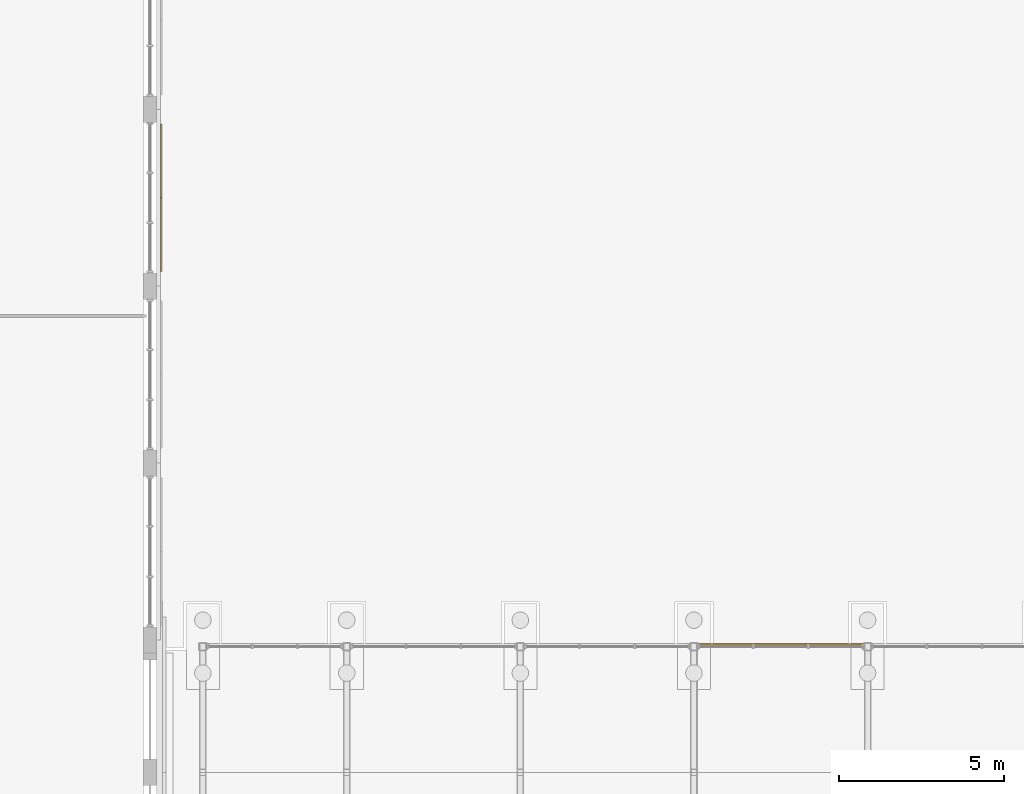
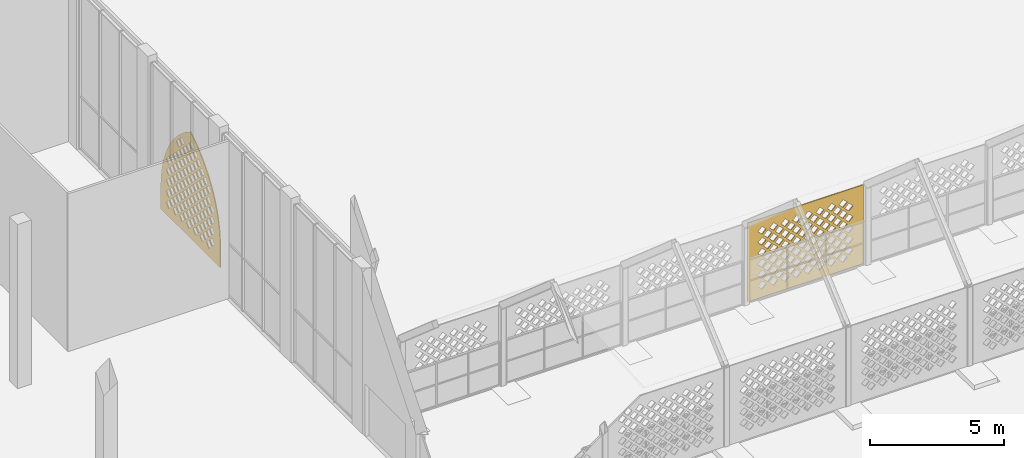
# One storey, part 69 of 79: 2 coverings.
"""IFC4 building model written with IfcOpenShell, lengths in metres."""

from ifc_helpers import new_model, si_unit, direction, frame, origin, place, context, subcontext, project, spatial, polyline, outline, extrude, material, layer, layer_set, type_object, element, save


model = new_model("IFC4")

# Units and contexts
model_context = context("Model", 3, precision=1e-05, world=origin(), true_north=direction((0.0, 1.0)))
body_context = subcontext(model_context, "Body", "Model", "MODEL_VIEW")
ifc_project = project(units=[si_unit("LENGTHUNIT", "METRE"), si_unit("AREAUNIT", "SQUARE_METRE"), si_unit("VOLUMEUNIT", "CUBIC_METRE"), si_unit("PLANEANGLEUNIT", "RADIAN"), si_unit("MASSUNIT", "GRAM", prefix="KILO")], contexts=[model_context])

# Site, building, storey
site_placement = place(None, origin())
site = spatial("IfcSite", under=ifc_project, at=site_placement, CompositionType="ELEMENT")
building_placement = place(site_placement, origin())
building = spatial("IfcBuilding", under=site, at=building_placement, Name="Noorbagh Ring Tower", CompositionType="ELEMENT")
storey_placement = place(building_placement, origin())
storey = spatial("IfcBuildingStorey", under=building, at=storey_placement, Name="L00", CompositionType="ELEMENT", Elevation=0.0)

# Coverings
ifc_material_1 = material(Name="Red sandstone jali", Category="masonry")
ifc_layer_1 = layer(ifc_material_1, 0.0400390625)
ifc_layer_set_1 = layer_set([ifc_layer_1], Name="Red sandstone jali")
covering_type_1 = type_object("IfcCoveringType", Name="AR-JALI", PredefinedType="USERDEFINED", material=ifc_layer_set_1)
covering_1_placement = place(storey_placement, frame((-73.625, 8.889892578125, 0.0), z_axis=(0.0, 1.0, 0.0), x_axis=(-1.0, 0.0, 0.0)))
element("IfcCovering", 1, at=covering_1_placement, inside=storey, type_object=covering_type_1, Name="Jali screen", ObjectType="SCREEN", PredefinedType="USERDEFINED", context=body_context, shape_type="SweptSolid", body=[
    extrude(outline(polyline([(0.0, 0.0), (5.0, 0.0), (5.0, 3.60009765625), (0.0, 3.60009765625), (0.0, 0.0)]), holes=[polyline([(0.695068359375, 0.550048828125), (0.875, 0.3701171875), (1.054931640625, 0.550048828125), (0.875, 0.72998046875), (0.695068359375, 0.550048828125)]), polyline([(1.195068359375, 0.550048828125), (1.375, 0.3701171875), (1.554931640625, 0.550048828125), (1.375, 0.72998046875), (1.195068359375, 0.550048828125)]), polyline([(1.695068359375, 0.550048828125), (1.875, 0.3701171875), (2.054931640625, 0.550048828125), (1.875, 0.72998046875), (1.695068359375, 0.550048828125)]), polyline([(2.195068359375, 0.550048828125), (2.375, 0.3701171875), (2.554931640625, 0.550048828125), (2.375, 0.72998046875), (2.195068359375, 0.550048828125)]), polyline([(2.695068359375, 0.550048828125), (2.875, 0.3701171875), (3.054931640625, 0.550048828125), (2.875, 0.72998046875), (2.695068359375, 0.550048828125)]), polyline([(3.195068359375, 0.550048828125), (3.375, 0.3701171875), (3.554931640625, 0.550048828125), (3.375, 0.72998046875), (3.195068359375, 0.550048828125)]), polyline([(3.695068359375, 0.550048828125), (3.875, 0.3701171875), (4.054931640625, 0.550048828125), (3.875, 0.72998046875), (3.695068359375, 0.550048828125)]), polyline([(4.195068359375, 0.550048828125), (4.375, 0.3701171875), (4.554931640625, 0.550048828125), (4.375, 0.72998046875), (4.195068359375, 0.550048828125)]), polyline([(0.445068359375, 0.800048828125), (0.625, 0.6201171875), (0.804931640625, 0.800048828125), (0.625, 0.97998046875), (0.445068359375, 0.800048828125)]), polyline([(0.945068359375, 0.800048828125), (1.125, 0.6201171875), (1.304931640625, 0.800048828125), (1.125, 0.97998046875), (0.945068359375, 0.800048828125)]), polyline([(1.445068359375, 0.800048828125), (1.625, 0.6201171875), (1.804931640625, 0.800048828125), (1.625, 0.97998046875), (1.445068359375, 0.800048828125)]), polyline([(1.945068359375, 0.800048828125), (2.125, 0.6201171875), (2.304931640625, 0.800048828125), (2.125, 0.97998046875), (1.945068359375, 0.800048828125)]), polyline([(2.445068359375, 0.800048828125), (2.625, 0.6201171875), (2.804931640625, 0.800048828125), (2.625, 0.97998046875), (2.445068359375, 0.800048828125)]), polyline([(2.945068359375, 0.800048828125), (3.125, 0.6201171875), (3.304931640625, 0.800048828125), (3.125, 0.97998046875), (2.945068359375, 0.800048828125)]), polyline([(3.445068359375, 0.800048828125), (3.625, 0.6201171875), (3.804931640625, 0.800048828125), (3.625, 0.97998046875), (3.445068359375, 0.800048828125)]), polyline([(3.945068359375, 0.800048828125), (4.125, 0.6201171875), (4.304931640625, 0.800048828125), (4.125, 0.97998046875), (3.945068359375, 0.800048828125)]), polyline([(0.695068359375, 1.050048828125), (0.875, 0.8701171875), (1.054931640625, 1.050048828125), (0.875, 1.22998046875), (0.695068359375, 1.050048828125)]), polyline([(1.195068359375, 1.050048828125), (1.375, 0.8701171875), (1.554931640625, 1.050048828125), (1.375, 1.22998046875), (1.195068359375, 1.050048828125)]), polyline([(1.695068359375, 1.050048828125), (1.875, 0.8701171875), (2.054931640625, 1.050048828125), (1.875, 1.22998046875), (1.695068359375, 1.050048828125)]), polyline([(2.195068359375, 1.050048828125), (2.375, 0.8701171875), (2.554931640625, 1.050048828125), (2.375, 1.22998046875), (2.195068359375, 1.050048828125)]), polyline([(2.695068359375, 1.050048828125), (2.875, 0.8701171875), (3.054931640625, 1.050048828125), (2.875, 1.22998046875), (2.695068359375, 1.050048828125)]), polyline([(3.195068359375, 1.050048828125), (3.375, 0.8701171875), (3.554931640625, 1.050048828125), (3.375, 1.22998046875), (3.195068359375, 1.050048828125)]), polyline([(3.695068359375, 1.050048828125), (3.875, 0.8701171875), (4.054931640625, 1.050048828125), (3.875, 1.22998046875), (3.695068359375, 1.050048828125)]), polyline([(4.195068359375, 1.050048828125), (4.375, 0.8701171875), (4.554931640625, 1.050048828125), (4.375, 1.22998046875), (4.195068359375, 1.050048828125)]), polyline([(0.445068359375, 1.300048828125), (0.625, 1.1201171875), (0.804931640625, 1.300048828125), (0.625, 1.47998046875), (0.445068359375, 1.300048828125)]), polyline([(0.945068359375, 1.300048828125), (1.125, 1.1201171875), (1.304931640625, 1.300048828125), (1.125, 1.47998046875), (0.945068359375, 1.300048828125)]), polyline([(1.445068359375, 1.300048828125), (1.625, 1.1201171875), (1.804931640625, 1.300048828125), (1.625, 1.47998046875), (1.445068359375, 1.300048828125)]), polyline([(1.945068359375, 1.300048828125), (2.125, 1.1201171875), (2.304931640625, 1.300048828125), (2.125, 1.47998046875), (1.945068359375, 1.300048828125)]), polyline([(2.445068359375, 1.300048828125), (2.625, 1.1201171875), (2.804931640625, 1.300048828125), (2.625, 1.47998046875), (2.445068359375, 1.300048828125)]), polyline([(2.945068359375, 1.300048828125), (3.125, 1.1201171875), (3.304931640625, 1.300048828125), (3.125, 1.47998046875), (2.945068359375, 1.300048828125)]), polyline([(3.445068359375, 1.300048828125), (3.625, 1.1201171875), (3.804931640625, 1.300048828125), (3.625, 1.47998046875), (3.445068359375, 1.300048828125)]), polyline([(3.945068359375, 1.300048828125), (4.125, 1.1201171875), (4.304931640625, 1.300048828125), (4.125, 1.47998046875), (3.945068359375, 1.300048828125)]), polyline([(0.695068359375, 1.550048828125), (0.875, 1.3701171875), (1.054931640625, 1.550048828125), (0.875, 1.72998046875), (0.695068359375, 1.550048828125)]), polyline([(1.195068359375, 1.550048828125), (1.375, 1.3701171875), (1.554931640625, 1.550048828125), (1.375, 1.72998046875), (1.195068359375, 1.550048828125)]), polyline([(1.695068359375, 1.550048828125), (1.875, 1.3701171875), (2.054931640625, 1.550048828125), (1.875, 1.72998046875), (1.695068359375, 1.550048828125)]), polyline([(2.195068359375, 1.550048828125), (2.375, 1.3701171875), (2.554931640625, 1.550048828125), (2.375, 1.72998046875), (2.195068359375, 1.550048828125)]), polyline([(2.695068359375, 1.550048828125), (2.875, 1.3701171875), (3.054931640625, 1.550048828125), (2.875, 1.72998046875), (2.695068359375, 1.550048828125)]), polyline([(3.195068359375, 1.550048828125), (3.375, 1.3701171875), (3.554931640625, 1.550048828125), (3.375, 1.72998046875), (3.195068359375, 1.550048828125)]), polyline([(3.695068359375, 1.550048828125), (3.875, 1.3701171875), (4.054931640625, 1.550048828125), (3.875, 1.72998046875), (3.695068359375, 1.550048828125)]), polyline([(4.195068359375, 1.550048828125), (4.375, 1.3701171875), (4.554931640625, 1.550048828125), (4.375, 1.72998046875), (4.195068359375, 1.550048828125)]), polyline([(0.445068359375, 1.800048828125), (0.625, 1.6201171875), (0.804931640625, 1.800048828125), (0.625, 1.97998046875), (0.445068359375, 1.800048828125)]), polyline([(0.945068359375, 1.800048828125), (1.125, 1.6201171875), (1.304931640625, 1.800048828125), (1.125, 1.97998046875), (0.945068359375, 1.800048828125)]), polyline([(1.445068359375, 1.800048828125), (1.625, 1.6201171875), (1.804931640625, 1.800048828125), (1.625, 1.97998046875), (1.445068359375, 1.800048828125)]), polyline([(1.945068359375, 1.800048828125), (2.125, 1.6201171875), (2.304931640625, 1.800048828125), (2.125, 1.97998046875), (1.945068359375, 1.800048828125)]), polyline([(2.445068359375, 1.800048828125), (2.625, 1.6201171875), (2.804931640625, 1.800048828125), (2.625, 1.97998046875), (2.445068359375, 1.800048828125)]), polyline([(2.945068359375, 1.800048828125), (3.125, 1.6201171875), (3.304931640625, 1.800048828125), (3.125, 1.97998046875), (2.945068359375, 1.800048828125)]), polyline([(3.445068359375, 1.800048828125), (3.625, 1.6201171875), (3.804931640625, 1.800048828125), (3.625, 1.97998046875), (3.445068359375, 1.800048828125)]), polyline([(3.945068359375, 1.800048828125), (4.125, 1.6201171875), (4.304931640625, 1.800048828125), (4.125, 1.97998046875), (3.945068359375, 1.800048828125)]), polyline([(0.695068359375, 2.050048828125), (0.875, 1.8701171875), (1.054931640625, 2.050048828125), (0.875, 2.22998046875), (0.695068359375, 2.050048828125)]), polyline([(1.195068359375, 2.050048828125), (1.375, 1.8701171875), (1.554931640625, 2.050048828125), (1.375, 2.22998046875), (1.195068359375, 2.050048828125)]), polyline([(1.695068359375, 2.050048828125), (1.875, 1.8701171875), (2.054931640625, 2.050048828125), (1.875, 2.22998046875), (1.695068359375, 2.050048828125)]), polyline([(2.195068359375, 2.050048828125), (2.375, 1.8701171875), (2.554931640625, 2.050048828125), (2.375, 2.22998046875), (2.195068359375, 2.050048828125)]), polyline([(2.695068359375, 2.050048828125), (2.875, 1.8701171875), (3.054931640625, 2.050048828125), (2.875, 2.22998046875), (2.695068359375, 2.050048828125)]), polyline([(3.195068359375, 2.050048828125), (3.375, 1.8701171875), (3.554931640625, 2.050048828125), (3.375, 2.22998046875), (3.195068359375, 2.050048828125)]), polyline([(3.695068359375, 2.050048828125), (3.875, 1.8701171875), (4.054931640625, 2.050048828125), (3.875, 2.22998046875), (3.695068359375, 2.050048828125)]), polyline([(4.195068359375, 2.050048828125), (4.375, 1.8701171875), (4.554931640625, 2.050048828125), (4.375, 2.22998046875), (4.195068359375, 2.050048828125)]), polyline([(0.445068359375, 2.300048828125), (0.625, 2.1201171875), (0.804931640625, 2.300048828125), (0.625, 2.47998046875), (0.445068359375, 2.300048828125)]), polyline([(0.945068359375, 2.300048828125), (1.125, 2.1201171875), (1.304931640625, 2.300048828125), (1.125, 2.47998046875), (0.945068359375, 2.300048828125)]), polyline([(1.445068359375, 2.300048828125), (1.625, 2.1201171875), (1.804931640625, 2.300048828125), (1.625, 2.47998046875), (1.445068359375, 2.300048828125)]), polyline([(1.945068359375, 2.300048828125), (2.125, 2.1201171875), (2.304931640625, 2.300048828125), (2.125, 2.47998046875), (1.945068359375, 2.300048828125)]), polyline([(2.445068359375, 2.300048828125), (2.625, 2.1201171875), (2.804931640625, 2.300048828125), (2.625, 2.47998046875), (2.445068359375, 2.300048828125)]), polyline([(2.945068359375, 2.300048828125), (3.125, 2.1201171875), (3.304931640625, 2.300048828125), (3.125, 2.47998046875), (2.945068359375, 2.300048828125)]), polyline([(3.445068359375, 2.300048828125), (3.625, 2.1201171875), (3.804931640625, 2.300048828125), (3.625, 2.47998046875), (3.445068359375, 2.300048828125)]), polyline([(3.945068359375, 2.300048828125), (4.125, 2.1201171875), (4.304931640625, 2.300048828125), (4.125, 2.47998046875), (3.945068359375, 2.300048828125)]), polyline([(0.695068359375, 2.550048828125), (0.875, 2.3701171875), (1.054931640625, 2.550048828125), (0.875, 2.72998046875), (0.695068359375, 2.550048828125)]), polyline([(1.195068359375, 2.550048828125), (1.375, 2.3701171875), (1.554931640625, 2.550048828125), (1.375, 2.72998046875), (1.195068359375, 2.550048828125)]), polyline([(1.695068359375, 2.550048828125), (1.875, 2.3701171875), (2.054931640625, 2.550048828125), (1.875, 2.72998046875), (1.695068359375, 2.550048828125)]), polyline([(2.195068359375, 2.550048828125), (2.375, 2.3701171875), (2.554931640625, 2.550048828125), (2.375, 2.72998046875), (2.195068359375, 2.550048828125)]), polyline([(2.695068359375, 2.550048828125), (2.875, 2.3701171875), (3.054931640625, 2.550048828125), (2.875, 2.72998046875), (2.695068359375, 2.550048828125)]), polyline([(3.195068359375, 2.550048828125), (3.375, 2.3701171875), (3.554931640625, 2.550048828125), (3.375, 2.72998046875), (3.195068359375, 2.550048828125)]), polyline([(3.695068359375, 2.550048828125), (3.875, 2.3701171875), (4.054931640625, 2.550048828125), (3.875, 2.72998046875), (3.695068359375, 2.550048828125)]), polyline([(4.195068359375, 2.550048828125), (4.375, 2.3701171875), (4.554931640625, 2.550048828125), (4.375, 2.72998046875), (4.195068359375, 2.550048828125)]), polyline([(0.445068359375, 2.800048828125), (0.625, 2.6201171875), (0.804931640625, 2.800048828125), (0.625, 2.97998046875), (0.445068359375, 2.800048828125)]), polyline([(0.945068359375, 2.800048828125), (1.125, 2.6201171875), (1.304931640625, 2.800048828125), (1.125, 2.97998046875), (0.945068359375, 2.800048828125)]), polyline([(1.445068359375, 2.800048828125), (1.625, 2.6201171875), (1.804931640625, 2.800048828125), (1.625, 2.97998046875), (1.445068359375, 2.800048828125)]), polyline([(1.945068359375, 2.800048828125), (2.125, 2.6201171875), (2.304931640625, 2.800048828125), (2.125, 2.97998046875), (1.945068359375, 2.800048828125)]), polyline([(2.445068359375, 2.800048828125), (2.625, 2.6201171875), (2.804931640625, 2.800048828125), (2.625, 2.97998046875), (2.445068359375, 2.800048828125)]), polyline([(2.945068359375, 2.800048828125), (3.125, 2.6201171875), (3.304931640625, 2.800048828125), (3.125, 2.97998046875), (2.945068359375, 2.800048828125)]), polyline([(3.445068359375, 2.800048828125), (3.625, 2.6201171875), (3.804931640625, 2.800048828125), (3.625, 2.97998046875), (3.445068359375, 2.800048828125)]), polyline([(3.945068359375, 2.800048828125), (4.125, 2.6201171875), (4.304931640625, 2.800048828125), (4.125, 2.97998046875), (3.945068359375, 2.800048828125)]), polyline([(0.695068359375, 3.050048828125), (0.875, 2.8701171875), (1.054931640625, 3.050048828125), (0.875, 3.22998046875), (0.695068359375, 3.050048828125)]), polyline([(1.195068359375, 3.050048828125), (1.375, 2.8701171875), (1.554931640625, 3.050048828125), (1.375, 3.22998046875), (1.195068359375, 3.050048828125)]), polyline([(1.695068359375, 3.050048828125), (1.875, 2.8701171875), (2.054931640625, 3.050048828125), (1.875, 3.22998046875), (1.695068359375, 3.050048828125)]), polyline([(2.195068359375, 3.050048828125), (2.375, 2.8701171875), (2.554931640625, 3.050048828125), (2.375, 3.22998046875), (2.195068359375, 3.050048828125)]), polyline([(2.695068359375, 3.050048828125), (2.875, 2.8701171875), (3.054931640625, 3.050048828125), (2.875, 3.22998046875), (2.695068359375, 3.050048828125)]), polyline([(3.195068359375, 3.050048828125), (3.375, 2.8701171875), (3.554931640625, 3.050048828125), (3.375, 3.22998046875), (3.195068359375, 3.050048828125)]), polyline([(3.695068359375, 3.050048828125), (3.875, 2.8701171875), (4.054931640625, 3.050048828125), (3.875, 3.22998046875), (3.695068359375, 3.050048828125)]), polyline([(4.195068359375, 3.050048828125), (4.375, 2.8701171875), (4.554931640625, 3.050048828125), (4.375, 3.22998046875), (4.195068359375, 3.050048828125)])]), origin(), (0.0, 0.0, -1.0), 0.0400390625),
])
ifc_material_2 = material(Name="Red sandstone jali", Category="masonry")
ifc_layer_2 = layer(ifc_material_2, 0.0400390625)
ifc_layer_set_2 = layer_set([ifc_layer_2], Name="Red sandstone jali")
covering_type_2 = type_object("IfcCoveringType", Name="STH-JALI", PredefinedType="USERDEFINED", material=ifc_layer_set_2)
covering_2_placement = place(storey_placement, frame((-94.840087890625, 20.14990234375, 0.39990234375), z_axis=(1.0, 0.0, 0.0), x_axis=(0.0, 1.0, 0.0)))
element("IfcCovering", 2, at=covering_2_placement, inside=storey, type_object=covering_type_2, Name="Jali screen", ObjectType="SCREEN", PredefinedType="USERDEFINED", context=body_context, shape_type="SweptSolid", body=[
    extrude(outline(polyline([(0.0, 0.0), (4.4501953125, 0.0), (4.4501953125, 1.0), (4.412109375, 1.580810546875), (4.298583984375, 2.15185546875), (4.111328125, 2.702880859375), (3.85400390625, 3.22509765625), (3.530517578125, 3.708984375), (3.146728515625, 4.146728515625), (2.708984375, 4.530517578125), (2.22509765625, 4.85400390625), (1.7412109375, 4.530517578125), (1.303466796875, 4.146728515625), (0.919677734375, 3.708984375), (0.59619140625, 3.22509765625), (0.3388671875, 2.702880859375), (0.151611328125, 2.15185546875), (0.0380859375, 1.580810546875), (0.0, 1.0), (0.0, 0.0)]), holes=[polyline([(0.669921875, 0.552001953125), (0.85009765625, 0.371826171875), (1.030029296875, 0.552001953125), (0.85009765625, 0.73193359375), (0.669921875, 0.552001953125)]), polyline([(1.169921875, 0.552001953125), (1.35009765625, 0.371826171875), (1.530029296875, 0.552001953125), (1.35009765625, 0.73193359375), (1.169921875, 0.552001953125)]), polyline([(1.669921875, 0.552001953125), (1.85009765625, 0.371826171875), (2.030029296875, 0.552001953125), (1.85009765625, 0.73193359375), (1.669921875, 0.552001953125)]), polyline([(2.169921875, 0.552001953125), (2.35009765625, 0.371826171875), (2.530029296875, 0.552001953125), (2.35009765625, 0.73193359375), (2.169921875, 0.552001953125)]), polyline([(2.669921875, 0.552001953125), (2.85009765625, 0.371826171875), (3.030029296875, 0.552001953125), (2.85009765625, 0.73193359375), (2.669921875, 0.552001953125)]), polyline([(3.169921875, 0.552001953125), (3.35009765625, 0.371826171875), (3.530029296875, 0.552001953125), (3.35009765625, 0.73193359375), (3.169921875, 0.552001953125)]), polyline([(3.669921875, 0.552001953125), (3.85009765625, 0.371826171875), (4.030029296875, 0.552001953125), (3.85009765625, 0.73193359375), (3.669921875, 0.552001953125)]), polyline([(0.419921875, 0.802001953125), (0.60009765625, 0.621826171875), (0.780029296875, 0.802001953125), (0.60009765625, 0.98193359375), (0.419921875, 0.802001953125)]), polyline([(0.919921875, 0.802001953125), (1.10009765625, 0.621826171875), (1.280029296875, 0.802001953125), (1.10009765625, 0.98193359375), (0.919921875, 0.802001953125)]), polyline([(1.419921875, 0.802001953125), (1.60009765625, 0.621826171875), (1.780029296875, 0.802001953125), (1.60009765625, 0.98193359375), (1.419921875, 0.802001953125)]), polyline([(1.919921875, 0.802001953125), (2.10009765625, 0.621826171875), (2.280029296875, 0.802001953125), (2.10009765625, 0.98193359375), (1.919921875, 0.802001953125)]), polyline([(2.419921875, 0.802001953125), (2.60009765625, 0.621826171875), (2.780029296875, 0.802001953125), (2.60009765625, 0.98193359375), (2.419921875, 0.802001953125)]), polyline([(2.919921875, 0.802001953125), (3.10009765625, 0.621826171875), (3.280029296875, 0.802001953125), (3.10009765625, 0.98193359375), (2.919921875, 0.802001953125)]), polyline([(3.419921875, 0.802001953125), (3.60009765625, 0.621826171875), (3.780029296875, 0.802001953125), (3.60009765625, 0.98193359375), (3.419921875, 0.802001953125)]), polyline([(0.669921875, 1.052001953125), (0.85009765625, 0.871826171875), (1.030029296875, 1.052001953125), (0.85009765625, 1.23193359375), (0.669921875, 1.052001953125)]), polyline([(1.169921875, 1.052001953125), (1.35009765625, 0.871826171875), (1.530029296875, 1.052001953125), (1.35009765625, 1.23193359375), (1.169921875, 1.052001953125)]), polyline([(1.669921875, 1.052001953125), (1.85009765625, 0.871826171875), (2.030029296875, 1.052001953125), (1.85009765625, 1.23193359375), (1.669921875, 1.052001953125)]), polyline([(2.169921875, 1.052001953125), (2.35009765625, 0.871826171875), (2.530029296875, 1.052001953125), (2.35009765625, 1.23193359375), (2.169921875, 1.052001953125)]), polyline([(2.669921875, 1.052001953125), (2.85009765625, 0.871826171875), (3.030029296875, 1.052001953125), (2.85009765625, 1.23193359375), (2.669921875, 1.052001953125)]), polyline([(3.169921875, 1.052001953125), (3.35009765625, 0.871826171875), (3.530029296875, 1.052001953125), (3.35009765625, 1.23193359375), (3.169921875, 1.052001953125)]), polyline([(3.669921875, 1.052001953125), (3.85009765625, 0.871826171875), (4.030029296875, 1.052001953125), (3.85009765625, 1.23193359375), (3.669921875, 1.052001953125)]), polyline([(0.419921875, 1.302001953125), (0.60009765625, 1.121826171875), (0.780029296875, 1.302001953125), (0.60009765625, 1.48193359375), (0.419921875, 1.302001953125)]), polyline([(0.919921875, 1.302001953125), (1.10009765625, 1.121826171875), (1.280029296875, 1.302001953125), (1.10009765625, 1.48193359375), (0.919921875, 1.302001953125)]), polyline([(1.419921875, 1.302001953125), (1.60009765625, 1.121826171875), (1.780029296875, 1.302001953125), (1.60009765625, 1.48193359375), (1.419921875, 1.302001953125)]), polyline([(1.919921875, 1.302001953125), (2.10009765625, 1.121826171875), (2.280029296875, 1.302001953125), (2.10009765625, 1.48193359375), (1.919921875, 1.302001953125)]), polyline([(2.419921875, 1.302001953125), (2.60009765625, 1.121826171875), (2.780029296875, 1.302001953125), (2.60009765625, 1.48193359375), (2.419921875, 1.302001953125)]), polyline([(2.919921875, 1.302001953125), (3.10009765625, 1.121826171875), (3.280029296875, 1.302001953125), (3.10009765625, 1.48193359375), (2.919921875, 1.302001953125)]), polyline([(3.419921875, 1.302001953125), (3.60009765625, 1.121826171875), (3.780029296875, 1.302001953125), (3.60009765625, 1.48193359375), (3.419921875, 1.302001953125)]), polyline([(0.669921875, 1.552001953125), (0.85009765625, 1.371826171875), (1.030029296875, 1.552001953125), (0.85009765625, 1.73193359375), (0.669921875, 1.552001953125)]), polyline([(1.169921875, 1.552001953125), (1.35009765625, 1.371826171875), (1.530029296875, 1.552001953125), (1.35009765625, 1.73193359375), (1.169921875, 1.552001953125)]), polyline([(1.669921875, 1.552001953125), (1.85009765625, 1.371826171875), (2.030029296875, 1.552001953125), (1.85009765625, 1.73193359375), (1.669921875, 1.552001953125)]), polyline([(2.169921875, 1.552001953125), (2.35009765625, 1.371826171875), (2.530029296875, 1.552001953125), (2.35009765625, 1.73193359375), (2.169921875, 1.552001953125)]), polyline([(2.669921875, 1.552001953125), (2.85009765625, 1.371826171875), (3.030029296875, 1.552001953125), (2.85009765625, 1.73193359375), (2.669921875, 1.552001953125)]), polyline([(3.169921875, 1.552001953125), (3.35009765625, 1.371826171875), (3.530029296875, 1.552001953125), (3.35009765625, 1.73193359375), (3.169921875, 1.552001953125)]), polyline([(3.669921875, 1.552001953125), (3.85009765625, 1.371826171875), (4.030029296875, 1.552001953125), (3.85009765625, 1.73193359375), (3.669921875, 1.552001953125)]), polyline([(0.419921875, 1.802001953125), (0.60009765625, 1.621826171875), (0.780029296875, 1.802001953125), (0.60009765625, 1.98193359375), (0.419921875, 1.802001953125)]), polyline([(0.919921875, 1.802001953125), (1.10009765625, 1.621826171875), (1.280029296875, 1.802001953125), (1.10009765625, 1.98193359375), (0.919921875, 1.802001953125)]), polyline([(1.419921875, 1.802001953125), (1.60009765625, 1.621826171875), (1.780029296875, 1.802001953125), (1.60009765625, 1.98193359375), (1.419921875, 1.802001953125)]), polyline([(1.919921875, 1.802001953125), (2.10009765625, 1.621826171875), (2.280029296875, 1.802001953125), (2.10009765625, 1.98193359375), (1.919921875, 1.802001953125)]), polyline([(2.419921875, 1.802001953125), (2.60009765625, 1.621826171875), (2.780029296875, 1.802001953125), (2.60009765625, 1.98193359375), (2.419921875, 1.802001953125)]), polyline([(2.919921875, 1.802001953125), (3.10009765625, 1.621826171875), (3.280029296875, 1.802001953125), (3.10009765625, 1.98193359375), (2.919921875, 1.802001953125)]), polyline([(3.419921875, 1.802001953125), (3.60009765625, 1.621826171875), (3.780029296875, 1.802001953125), (3.60009765625, 1.98193359375), (3.419921875, 1.802001953125)]), polyline([(0.669921875, 2.052001953125), (0.85009765625, 1.871826171875), (1.030029296875, 2.052001953125), (0.85009765625, 2.23193359375), (0.669921875, 2.052001953125)]), polyline([(1.169921875, 2.052001953125), (1.35009765625, 1.871826171875), (1.530029296875, 2.052001953125), (1.35009765625, 2.23193359375), (1.169921875, 2.052001953125)]), polyline([(1.669921875, 2.052001953125), (1.85009765625, 1.871826171875), (2.030029296875, 2.052001953125), (1.85009765625, 2.23193359375), (1.669921875, 2.052001953125)]), polyline([(2.169921875, 2.052001953125), (2.35009765625, 1.871826171875), (2.530029296875, 2.052001953125), (2.35009765625, 2.23193359375), (2.169921875, 2.052001953125)]), polyline([(2.669921875, 2.052001953125), (2.85009765625, 1.871826171875), (3.030029296875, 2.052001953125), (2.85009765625, 2.23193359375), (2.669921875, 2.052001953125)]), polyline([(3.169921875, 2.052001953125), (3.35009765625, 1.871826171875), (3.530029296875, 2.052001953125), (3.35009765625, 2.23193359375), (3.169921875, 2.052001953125)]), polyline([(3.669921875, 2.052001953125), (3.85009765625, 1.871826171875), (4.030029296875, 2.052001953125), (3.85009765625, 2.23193359375), (3.669921875, 2.052001953125)]), polyline([(0.419921875, 2.302001953125), (0.60009765625, 2.121826171875), (0.780029296875, 2.302001953125), (0.60009765625, 2.48193359375), (0.419921875, 2.302001953125)]), polyline([(0.919921875, 2.302001953125), (1.10009765625, 2.121826171875), (1.280029296875, 2.302001953125), (1.10009765625, 2.48193359375), (0.919921875, 2.302001953125)]), polyline([(1.419921875, 2.302001953125), (1.60009765625, 2.121826171875), (1.780029296875, 2.302001953125), (1.60009765625, 2.48193359375), (1.419921875, 2.302001953125)]), polyline([(1.919921875, 2.302001953125), (2.10009765625, 2.121826171875), (2.280029296875, 2.302001953125), (2.10009765625, 2.48193359375), (1.919921875, 2.302001953125)]), polyline([(2.419921875, 2.302001953125), (2.60009765625, 2.121826171875), (2.780029296875, 2.302001953125), (2.60009765625, 2.48193359375), (2.419921875, 2.302001953125)]), polyline([(2.919921875, 2.302001953125), (3.10009765625, 2.121826171875), (3.280029296875, 2.302001953125), (3.10009765625, 2.48193359375), (2.919921875, 2.302001953125)]), polyline([(3.419921875, 2.302001953125), (3.60009765625, 2.121826171875), (3.780029296875, 2.302001953125), (3.60009765625, 2.48193359375), (3.419921875, 2.302001953125)]), polyline([(0.669921875, 2.552001953125), (0.85009765625, 2.371826171875), (1.030029296875, 2.552001953125), (0.85009765625, 2.73193359375), (0.669921875, 2.552001953125)]), polyline([(1.169921875, 2.552001953125), (1.35009765625, 2.371826171875), (1.530029296875, 2.552001953125), (1.35009765625, 2.73193359375), (1.169921875, 2.552001953125)]), polyline([(1.669921875, 2.552001953125), (1.85009765625, 2.371826171875), (2.030029296875, 2.552001953125), (1.85009765625, 2.73193359375), (1.669921875, 2.552001953125)]), polyline([(2.169921875, 2.552001953125), (2.35009765625, 2.371826171875), (2.530029296875, 2.552001953125), (2.35009765625, 2.73193359375), (2.169921875, 2.552001953125)]), polyline([(2.669921875, 2.552001953125), (2.85009765625, 2.371826171875), (3.030029296875, 2.552001953125), (2.85009765625, 2.73193359375), (2.669921875, 2.552001953125)]), polyline([(3.169921875, 2.552001953125), (3.35009765625, 2.371826171875), (3.530029296875, 2.552001953125), (3.35009765625, 2.73193359375), (3.169921875, 2.552001953125)]), polyline([(3.669921875, 2.552001953125), (3.85009765625, 2.371826171875), (4.030029296875, 2.552001953125), (3.85009765625, 2.73193359375), (3.669921875, 2.552001953125)]), polyline([(0.919921875, 2.802001953125), (1.10009765625, 2.621826171875), (1.280029296875, 2.802001953125), (1.10009765625, 2.98193359375), (0.919921875, 2.802001953125)]), polyline([(1.419921875, 2.802001953125), (1.60009765625, 2.621826171875), (1.780029296875, 2.802001953125), (1.60009765625, 2.98193359375), (1.419921875, 2.802001953125)]), polyline([(1.919921875, 2.802001953125), (2.10009765625, 2.621826171875), (2.280029296875, 2.802001953125), (2.10009765625, 2.98193359375), (1.919921875, 2.802001953125)]), polyline([(2.419921875, 2.802001953125), (2.60009765625, 2.621826171875), (2.780029296875, 2.802001953125), (2.60009765625, 2.98193359375), (2.419921875, 2.802001953125)]), polyline([(2.919921875, 2.802001953125), (3.10009765625, 2.621826171875), (3.280029296875, 2.802001953125), (3.10009765625, 2.98193359375), (2.919921875, 2.802001953125)]), polyline([(3.419921875, 2.802001953125), (3.60009765625, 2.621826171875), (3.780029296875, 2.802001953125), (3.60009765625, 2.98193359375), (3.419921875, 2.802001953125)]), polyline([(0.669921875, 3.052001953125), (0.85009765625, 2.871826171875), (1.030029296875, 3.052001953125), (0.85009765625, 3.23193359375), (0.669921875, 3.052001953125)]), polyline([(1.169921875, 3.052001953125), (1.35009765625, 2.871826171875), (1.530029296875, 3.052001953125), (1.35009765625, 3.23193359375), (1.169921875, 3.052001953125)]), polyline([(1.669921875, 3.052001953125), (1.85009765625, 2.871826171875), (2.030029296875, 3.052001953125), (1.85009765625, 3.23193359375), (1.669921875, 3.052001953125)]), polyline([(2.169921875, 3.052001953125), (2.35009765625, 2.871826171875), (2.530029296875, 3.052001953125), (2.35009765625, 3.23193359375), (2.169921875, 3.052001953125)]), polyline([(2.669921875, 3.052001953125), (2.85009765625, 2.871826171875), (3.030029296875, 3.052001953125), (2.85009765625, 3.23193359375), (2.669921875, 3.052001953125)]), polyline([(3.169921875, 3.052001953125), (3.35009765625, 2.871826171875), (3.530029296875, 3.052001953125), (3.35009765625, 3.23193359375), (3.169921875, 3.052001953125)]), polyline([(0.919921875, 3.302001953125), (1.10009765625, 3.121826171875), (1.280029296875, 3.302001953125), (1.10009765625, 3.48193359375), (0.919921875, 3.302001953125)]), polyline([(1.419921875, 3.302001953125), (1.60009765625, 3.121826171875), (1.780029296875, 3.302001953125), (1.60009765625, 3.48193359375), (1.419921875, 3.302001953125)]), polyline([(1.919921875, 3.302001953125), (2.10009765625, 3.121826171875), (2.280029296875, 3.302001953125), (2.10009765625, 3.48193359375), (1.919921875, 3.302001953125)]), polyline([(2.419921875, 3.302001953125), (2.60009765625, 3.121826171875), (2.780029296875, 3.302001953125), (2.60009765625, 3.48193359375), (2.419921875, 3.302001953125)]), polyline([(2.919921875, 3.302001953125), (3.10009765625, 3.121826171875), (3.280029296875, 3.302001953125), (3.10009765625, 3.48193359375), (2.919921875, 3.302001953125)]), polyline([(1.169921875, 3.552001953125), (1.35009765625, 3.371826171875), (1.530029296875, 3.552001953125), (1.35009765625, 3.73193359375), (1.169921875, 3.552001953125)]), polyline([(1.669921875, 3.552001953125), (1.85009765625, 3.371826171875), (2.030029296875, 3.552001953125), (1.85009765625, 3.73193359375), (1.669921875, 3.552001953125)]), polyline([(2.169921875, 3.552001953125), (2.35009765625, 3.371826171875), (2.530029296875, 3.552001953125), (2.35009765625, 3.73193359375), (2.169921875, 3.552001953125)]), polyline([(2.669921875, 3.552001953125), (2.85009765625, 3.371826171875), (3.030029296875, 3.552001953125), (2.85009765625, 3.73193359375), (2.669921875, 3.552001953125)]), polyline([(1.419921875, 3.802001953125), (1.60009765625, 3.621826171875), (1.780029296875, 3.802001953125), (1.60009765625, 3.98193359375), (1.419921875, 3.802001953125)]), polyline([(1.919921875, 3.802001953125), (2.10009765625, 3.621826171875), (2.280029296875, 3.802001953125), (2.10009765625, 3.98193359375), (1.919921875, 3.802001953125)]), polyline([(2.419921875, 3.802001953125), (2.60009765625, 3.621826171875), (2.780029296875, 3.802001953125), (2.60009765625, 3.98193359375), (2.419921875, 3.802001953125)]), polyline([(2.919921875, 3.802001953125), (3.10009765625, 3.621826171875), (3.280029296875, 3.802001953125), (3.10009765625, 3.98193359375), (2.919921875, 3.802001953125)]), polyline([(1.669921875, 4.052001953125), (1.85009765625, 3.871826171875), (2.030029296875, 4.052001953125), (1.85009765625, 4.23193359375), (1.669921875, 4.052001953125)]), polyline([(2.169921875, 4.052001953125), (2.35009765625, 3.871826171875), (2.530029296875, 4.052001953125), (2.35009765625, 4.23193359375), (2.169921875, 4.052001953125)]), polyline([(2.669921875, 4.052001953125), (2.85009765625, 3.871826171875), (3.030029296875, 4.052001953125), (2.85009765625, 4.23193359375), (2.669921875, 4.052001953125)]), polyline([(1.919921875, 4.302001953125), (2.10009765625, 4.121826171875), (2.280029296875, 4.302001953125), (2.10009765625, 4.48193359375), (1.919921875, 4.302001953125)])]), origin(), (0.0, 0.0, -1.0), 0.0400390625),
])

save(model, "model.ifc")
